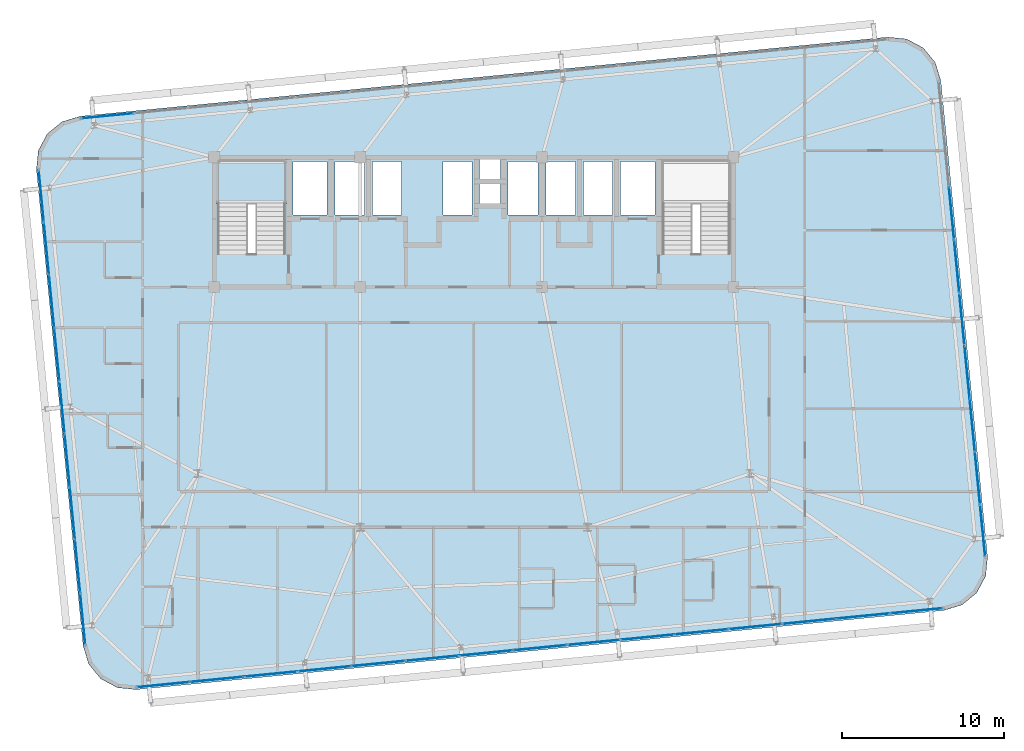
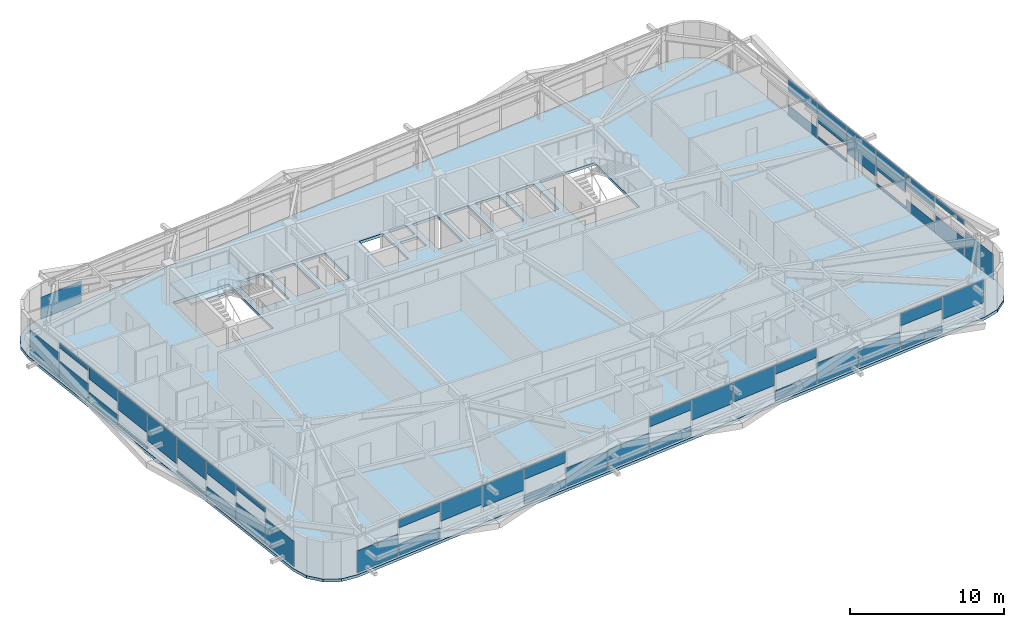
# One storey, part 36 of 53: 48 plates, 2 slabs, 5 elements without a shape of their own.
"""IFC4 building model written with IfcOpenShell, lengths in metres."""

from ifc_helpers import new_model, si_unit, direction, frame, origin, origin_2d, place, context, subcontext, project, spatial, polyline, rectangle, outline, extrude, source, transform, mapped, material, layer, layer_set, type_object, element, aggregate, save


model = new_model("IFC4")

# Units and contexts
model_context = context("Model", 3, precision=1e-05, world=origin(), true_north=direction((0.0, 1.0)))
body_context = subcontext(model_context, "Body", "Model", "MODEL_VIEW")
ifc_project = project(units=[si_unit("LENGTHUNIT", "METRE"), si_unit("AREAUNIT", "SQUARE_METRE"), si_unit("VOLUMEUNIT", "CUBIC_METRE"), si_unit("PLANEANGLEUNIT", "RADIAN"), si_unit("MASSUNIT", "GRAM", prefix="KILO")], contexts=[model_context])

# Site, building, storey
site_placement = place(None, origin())
site = spatial("IfcSite", under=ifc_project, at=site_placement, CompositionType="ELEMENT")
building_placement = place(site_placement, origin())
building = spatial("IfcBuilding", under=site, at=building_placement, Name="Taldren Reach Tower", CompositionType="ELEMENT")
storey_placement = place(building_placement, frame((0.0, 0.0, 71.39990234375)))
storey = spatial("IfcBuildingStorey", under=building, at=storey_placement, Name="L21", CompositionType="ELEMENT", Elevation=71.39990234375)

# Slab
ifc_material_1 = material(Name="Concrete N40 (40 MPa)", Category="concrete")
ifc_layer_1 = layer(ifc_material_1, 0.219970703125)
ifc_layer_set_1 = layer_set([ifc_layer_1], Name="Concrete N40 (40 MPa)")
slab_type_1 = type_object("IfcSlabType", Name="SL-FLR-220", PredefinedType="FLOOR", material=ifc_layer_set_1)
slab_1_placement = place(storey_placement, frame((0.0, 0.0, -0.219970703125)))
element("IfcSlab", 1, at=slab_1_placement, inside=storey, type_object=slab_type_1, Name="Suspended floor slab L21", PredefinedType="FLOOR", context=body_context, shape_type="SweptSolid", body=[
    extrude(outline(polyline([(63.962890625, 4.07421875), (65.0830078125, 4.41357421875), (65.98828125, 5.15576171875), (66.54052734375, 6.187744140625), (66.65576171875, 7.352783203125), (63.777099609375, 36.7119140625), (63.437744140625, 37.832275390625), (62.695556640625, 38.7373046875), (61.663330078125, 39.28955078125), (60.49853515625, 39.40478515625), (10.7373046875, 34.525634765625), (9.616943359375, 34.1865234375), (8.711669921875, 33.4443359375), (8.159423828125, 32.412109375), (8.044189453125, 31.247314453125), (10.923095703125, 1.88818359375), (11.26220703125, 0.767822265625), (12.00439453125, -0.137451171875), (13.03662109375, -0.689697265625), (14.201416015625, -0.804931640625), (63.962890625, 4.07421875)]), holes=[polyline([(19.219970703125, 26.050048828125), (23.3798828125, 26.050048828125), (23.3798828125, 31.820068359375), (19.219970703125, 31.820068359375), (19.219970703125, 26.050048828125)]), polyline([(46.6201171875, 26.050048828125), (50.780029296875, 26.050048828125), (50.780029296875, 31.820068359375), (46.6201171875, 31.820068359375), (46.6201171875, 26.050048828125)]), polyline([(23.85009765625, 28.449951171875), (25.949951171875, 28.449951171875), (25.949951171875, 31.75), (23.85009765625, 31.75), (23.85009765625, 28.449951171875)]), polyline([(44.050048828125, 28.449951171875), (46.14990234375, 28.449951171875), (46.14990234375, 31.75), (44.050048828125, 31.75), (44.050048828125, 28.449951171875)]), polyline([(26.449951171875, 28.449951171875), (28.25, 28.449951171875), (28.25, 31.75), (26.449951171875, 31.75), (26.449951171875, 28.449951171875)]), polyline([(28.75, 28.449951171875), (30.550048828125, 28.449951171875), (30.550048828125, 31.75), (28.75, 31.75), (28.75, 28.449951171875)]), polyline([(33.10009765625, 28.449951171875), (34.89990234375, 28.449951171875), (34.89990234375, 31.75), (33.10009765625, 31.75), (33.10009765625, 28.449951171875)]), polyline([(37.10009765625, 28.449951171875), (38.949951171875, 28.449951171875), (38.949951171875, 31.75), (37.10009765625, 31.75), (37.10009765625, 28.449951171875)]), polyline([(39.449951171875, 28.449951171875), (41.25, 28.449951171875), (41.25, 31.75), (39.449951171875, 31.75), (39.449951171875, 28.449951171875)]), polyline([(41.75, 28.449951171875), (43.550048828125, 28.449951171875), (43.550048828125, 31.75), (41.75, 31.75), (41.75, 28.449951171875)]), polyline([(35.35009765625, 30.64990234375), (36.64990234375, 30.64990234375), (36.64990234375, 31.85009765625), (35.35009765625, 31.85009765625), (35.35009765625, 30.64990234375)]), polyline([(35.35009765625, 29.14990234375), (36.64990234375, 29.14990234375), (36.64990234375, 30.35009765625), (35.35009765625, 30.35009765625), (35.35009765625, 29.14990234375)])]), origin(), (0.0, 0.0, 1.0), 0.219970703125),
])

# Stair, slab
ifc_material_2 = material(Name="Concrete S50 (50 MPa)", Category="concrete")
stair_type = type_object("IfcStairType", Name="ST-HT-315", PredefinedType="HALF_TURN_STAIR", material=ifc_material_2)
stair_placement = place(storey_placement, origin())
stair = element("IfcStair", 2, at=stair_placement, inside=storey, type_object=stair_type, Name="Fire-isolated exit stair ST1 L21", PredefinedType="HALF_TURN_STAIR")
ifc_layer_2 = layer(ifc_material_2, 0.179931640625)
ifc_layer_set_2 = layer_set([ifc_layer_2], Name="Concrete S50 (50 MPa)")
slab_type_2 = type_object("IfcSlabType", Name="SL-LAND-180", PredefinedType="LANDING", material=ifc_layer_set_2)
slab_2_placement = place(storey_placement, frame((0.0, 0.0, 1.39501953125)))
slab_2 = element("IfcSlab", 3, at=slab_2_placement, type_object=slab_type_2, Name="ST1 landing 1", PredefinedType="LANDING", context=body_context, shape_type="SweptSolid", body=[
    extrude(outline(polyline([(19.0400390625, 29.135009765625), (23.56005859375, 29.135009765625), (23.56005859375, 31.8701171875), (19.0400390625, 31.8701171875), (19.0400390625, 29.135009765625)])), origin(), (0.0, 0.0, 1.0), 0.18017578125),
])
aggregate(stair, [slab_2])

# Curtain wall, plate
ifc_material_3 = material(Name="Aluminium and Low-E Glass Unitised System", Category="aluminium")
ifc_layer_3 = layer(ifc_material_3, 0.159912109375)
ifc_layer_set_3 = layer_set([ifc_layer_3], Name="Aluminium and Low-E Glass Unitised System")
curtain_wall_type = type_object("IfcCurtainWallType", Name="CW-SYS-3", PredefinedType="NOTDEFINED", material=ifc_layer_set_3)
curtain_wall_1_placement = place(storey_placement, origin())
curtain_wall_1 = element("IfcCurtainWall", 4, at=curtain_wall_1_placement, inside=storey, type_object=curtain_wall_type, Name="Unitised curtain wall CW-L21-S", PredefinedType="NOTDEFINED")
ifc_material_4 = material(Name="Solar-Control Double Glazed IGU", Category="glass")
ifc_layer_4 = layer(ifc_material_4, 0.031982421875)
ifc_layer_set_4 = layer_set([ifc_layer_4], Name="Solar-Control Double Glazed IGU")
plate_type = type_object("IfcPlateType", Name="CW-PNL-IGU32", PredefinedType="CURTAIN_PANEL", material=ifc_layer_set_4)
shared_shape_1 = source(origin(), body_context, "Body", "SweptSolid", [
    extrude(rectangle(XDim=3.23583984375, YDim=0.031982421875, at=origin_2d()), origin(), (0.0, 0.0, 1.0), 1.72509765625),
])
plate_1_placement = place(storey_placement, frame((15.862548828125, -0.501220703125, 0.05517578125), z_axis=(0.0, 0.0, 1.0), x_axis=(0.995227390247, 0.097582999046, 0.0)))
plate_1 = element("IfcPlate", 5, at=plate_1_placement, type_object=plate_type, Name="CW-3 panel 1.1 part 1", PredefinedType="CURTAIN_PANEL", context=body_context, shape_type="MappedRepresentation", body=[
    mapped(shared_shape_1, transform((0.0, 0.0, 0.0), scale=1.0)),
])

curtain_wall_2_placement = place(storey_placement, origin())
curtain_wall_2 = element("IfcCurtainWall", 6, at=curtain_wall_2_placement, inside=storey, type_object=curtain_wall_type, Name="Unitised curtain wall CW-L21-N", PredefinedType="NOTDEFINED")
plate_2_placement = place(storey_placement, frame((12.42578125, 34.550537109375, 0.05517578125), z_axis=(0.0, 0.0, 1.0), x_axis=(-0.995227390247, -0.097582999046, 0.0)))
plate_2 = element("IfcPlate", 7, at=plate_2_placement, type_object=plate_type, Name="CW-3 panel 15.1 part 1", PredefinedType="CURTAIN_PANEL", context=body_context, shape_type="MappedRepresentation", body=[
    mapped(shared_shape_1, transform((0.0, 0.0, 0.0), scale=1.0)),
])
aggregate(curtain_wall_2, [plate_2])

# Plate
shared_shape_2 = source(origin(), body_context, "Body", "SweptSolid", [
    extrude(rectangle(XDim=3.268310546875, YDim=0.031982421875, at=origin_2d()), origin(), (0.0, 0.0, 1.0), 0.88818359375),
])
plate_3_placement = place(storey_placement, frame((19.163818359375, -0.177734375, 0.05517578125), z_axis=(0.0, 0.0, 1.0), x_axis=(0.995227390247, 0.097582999046, 0.0)))
plate_3 = element("IfcPlate", 8, at=plate_3_placement, type_object=plate_type, Name="CW-3 panel 2.1 part 1", PredefinedType="CURTAIN_PANEL", context=body_context, shape_type="MappedRepresentation", body=[
    mapped(shared_shape_2, transform((0.0, 0.0, 0.0), scale=1.0)),
])

shared_shape_3 = source(origin(), body_context, "Body", "SweptSolid", [
    extrude(rectangle(XDim=3.268310546875, YDim=0.031982421875, at=origin_2d()), origin(), (0.0, 0.0, 1.0), 0.626953125),
])
plate_4_placement = place(storey_placement, frame((19.163818359375, -0.177734375, 2.248046875), z_axis=(0.0, 0.0, 1.0), x_axis=(0.995227390247, 0.097582999046, 0.0)))
plate_4 = element("IfcPlate", 9, at=plate_4_placement, type_object=plate_type, Name="CW-3 panel 2.1 part 2", PredefinedType="CURTAIN_PANEL", context=body_context, shape_type="MappedRepresentation", body=[
    mapped(shared_shape_3, transform((0.0, 0.0, 0.0), scale=1.0)),
])

shared_shape_4 = source(origin(), body_context, "Body", "SweptSolid", [
    extrude(rectangle(XDim=3.268310546875, YDim=0.031982421875, at=origin_2d()), origin(), (0.0, 0.0, 1.0), 1.4638671875),
])
plate_5_placement = place(storey_placement, frame((22.481201171875, 0.147705078125, 1.411376953125), z_axis=(0.0, 0.0, 1.0), x_axis=(0.995227390247, 0.097582999046, 0.0)))
plate_5 = element("IfcPlate", 10, at=plate_5_placement, type_object=plate_type, Name="CW-3 panel 3.1 part 1", PredefinedType="CURTAIN_PANEL", context=body_context, shape_type="MappedRepresentation", body=[
    mapped(shared_shape_4, transform((0.0, 0.0, 0.0), scale=1.0)),
])

shared_shape_5 = source(origin(), body_context, "Body", "SweptSolid", [
    extrude(rectangle(XDim=3.268310546875, YDim=0.031982421875, at=origin_2d()), origin(), (0.0, 0.0, 1.0), 1.704833984375),
])
plate_6_placement = place(storey_placement, frame((25.798828125, 0.472900390625, 1.17041015625), z_axis=(0.0, 0.0, 1.0), x_axis=(0.995227390247, 0.097582999046, 0.0)))
plate_6 = element("IfcPlate", 11, at=plate_6_placement, type_object=plate_type, Name="CW-3 panel 4.1 part 1", PredefinedType="CURTAIN_PANEL", context=body_context, shape_type="MappedRepresentation", body=[
    mapped(shared_shape_5, transform((0.0, 0.0, 0.0), scale=1.0)),
])

shared_shape_6 = source(origin(), body_context, "Body", "SweptSolid", [
    extrude(rectangle(XDim=3.268310546875, YDim=0.031982421875, at=origin_2d()), origin(), (0.0, 0.0, 1.0), 0.647216796875),
])
plate_7_placement = place(storey_placement, frame((29.1162109375, 0.798095703125, 0.05517578125), z_axis=(0.0, 0.0, 1.0), x_axis=(0.995227390247, 0.097582999046, 0.0)))
plate_7 = element("IfcPlate", 12, at=plate_7_placement, type_object=plate_type, Name="CW-3 panel 5.1 part 1", PredefinedType="CURTAIN_PANEL", context=body_context, shape_type="MappedRepresentation", body=[
    mapped(shared_shape_6, transform((0.0, 0.0, 0.0), scale=1.0)),
])

shared_shape_7 = source(origin(), body_context, "Body", "SweptSolid", [
    extrude(rectangle(XDim=3.268310546875, YDim=0.031982421875, at=origin_2d()), origin(), (0.0, 0.0, 1.0), 0.867919921875),
])
plate_8_placement = place(storey_placement, frame((29.1162109375, 0.798095703125, 2.00732421875), z_axis=(0.0, 0.0, 1.0), x_axis=(0.995227390247, 0.097582999046, 0.0)))
plate_8 = element("IfcPlate", 13, at=plate_8_placement, type_object=plate_type, Name="CW-3 panel 5.1 part 2", PredefinedType="CURTAIN_PANEL", context=body_context, shape_type="MappedRepresentation", body=[
    mapped(shared_shape_7, transform((0.0, 0.0, 0.0), scale=1.0)),
])

shared_shape_8 = source(origin(), body_context, "Body", "SweptSolid", [
    extrude(rectangle(XDim=3.268310546875, YDim=0.031982421875, at=origin_2d()), origin(), (0.0, 0.0, 1.0), 1.484130859375),
])
plate_9_placement = place(storey_placement, frame((32.43359375, 1.12353515625, 0.05517578125), z_axis=(0.0, 0.0, 1.0), x_axis=(0.995227390247, 0.097582999046, 0.0)))
plate_9 = element("IfcPlate", 14, at=plate_9_placement, type_object=plate_type, Name="CW-3 panel 6.1 part 1", PredefinedType="CURTAIN_PANEL", context=body_context, shape_type="MappedRepresentation", body=[
    mapped(shared_shape_8, transform((0.0, 0.0, 0.0), scale=1.0)),
])

shared_shape_9 = source(origin(), body_context, "Body", "SweptSolid", [
    extrude(rectangle(XDim=3.268310546875, YDim=0.031982421875, at=origin_2d()), origin(), (0.0, 0.0, 1.0), 1.564453125),
])
plate_10_placement = place(storey_placement, frame((35.7509765625, 1.44873046875, 0.05517578125), z_axis=(0.0, 0.0, 1.0), x_axis=(0.995227390247, 0.097582999046, 0.0)))
plate_10 = element("IfcPlate", 15, at=plate_10_placement, type_object=plate_type, Name="CW-3 panel 7.1 part 1", PredefinedType="CURTAIN_PANEL", context=body_context, shape_type="MappedRepresentation", body=[
    mapped(shared_shape_9, transform((0.0, 0.0, 0.0), scale=1.0)),
])

shared_shape_10 = source(origin(), body_context, "Body", "SweptSolid", [
    extrude(rectangle(XDim=3.268310546875, YDim=0.031982421875, at=origin_2d()), origin(), (0.0, 0.0, 1.0), 0.7275390625),
])
plate_11_placement = place(storey_placement, frame((39.068359375, 1.77392578125, 0.05517578125), z_axis=(0.0, 0.0, 1.0), x_axis=(0.995227390247, 0.097582999046, 0.0)))
plate_11 = element("IfcPlate", 16, at=plate_11_placement, type_object=plate_type, Name="CW-3 panel 8.1 part 1", PredefinedType="CURTAIN_PANEL", context=body_context, shape_type="MappedRepresentation", body=[
    mapped(shared_shape_10, transform((0.0, 0.0, 0.0), scale=1.0)),
])

shared_shape_11 = source(origin(), body_context, "Body", "SweptSolid", [
    extrude(rectangle(XDim=3.268310546875, YDim=0.031982421875, at=origin_2d()), origin(), (0.0, 0.0, 1.0), 0.78759765625),
])
plate_12_placement = place(storey_placement, frame((39.068359375, 1.77392578125, 2.08740234375), z_axis=(0.0, 0.0, 1.0), x_axis=(0.995227390247, 0.097582999046, 0.0)))
plate_12 = element("IfcPlate", 17, at=plate_12_placement, type_object=plate_type, Name="CW-3 panel 8.1 part 2", PredefinedType="CURTAIN_PANEL", context=body_context, shape_type="MappedRepresentation", body=[
    mapped(shared_shape_11, transform((0.0, 0.0, 0.0), scale=1.0)),
])

shared_shape_12 = source(origin(), body_context, "Body", "SweptSolid", [
    extrude(rectangle(XDim=3.268310546875, YDim=0.031982421875, at=origin_2d()), origin(), (0.0, 0.0, 1.0), 1.62451171875),
])
plate_13_placement = place(storey_placement, frame((42.3857421875, 2.099365234375, 1.250732421875), z_axis=(0.0, 0.0, 1.0), x_axis=(0.995227390247, 0.097582999046, 0.0)))
plate_13 = element("IfcPlate", 18, at=plate_13_placement, type_object=plate_type, Name="CW-3 panel 9.1 part 1", PredefinedType="CURTAIN_PANEL", context=body_context, shape_type="MappedRepresentation", body=[
    mapped(shared_shape_12, transform((0.0, 0.0, 0.0), scale=1.0)),
])

shared_shape_13 = source(origin(), body_context, "Body", "SweptSolid", [
    extrude(rectangle(XDim=3.268310546875, YDim=0.031982421875, at=origin_2d()), origin(), (0.0, 0.0, 1.0), 1.544189453125),
])
plate_14_placement = place(storey_placement, frame((45.703369140625, 2.424560546875, 1.3310546875), z_axis=(0.0, 0.0, 1.0), x_axis=(0.995227390247, 0.097582999046, 0.0)))
plate_14 = element("IfcPlate", 19, at=plate_14_placement, type_object=plate_type, Name="CW-3 panel 10.1 part 1", PredefinedType="CURTAIN_PANEL", context=body_context, shape_type="MappedRepresentation", body=[
    mapped(shared_shape_13, transform((0.0, 0.0, 0.0), scale=1.0)),
])

shared_shape_14 = source(origin(), body_context, "Body", "SweptSolid", [
    extrude(rectangle(XDim=3.268310546875, YDim=0.031982421875, at=origin_2d()), origin(), (0.0, 0.0, 1.0), 0.807861328125),
])
plate_15_placement = place(storey_placement, frame((49.020751953125, 2.749755859375, 0.05517578125), z_axis=(0.0, 0.0, 1.0), x_axis=(0.995227390247, 0.097582999046, 0.0)))
plate_15 = element("IfcPlate", 20, at=plate_15_placement, type_object=plate_type, Name="CW-3 panel 11.1 part 1", PredefinedType="CURTAIN_PANEL", context=body_context, shape_type="MappedRepresentation", body=[
    mapped(shared_shape_14, transform((0.0, 0.0, 0.0), scale=1.0)),
])

shared_shape_15 = source(origin(), body_context, "Body", "SweptSolid", [
    extrude(rectangle(XDim=3.268310546875, YDim=0.031982421875, at=origin_2d()), origin(), (0.0, 0.0, 1.0), 0.707275390625),
])
plate_16_placement = place(storey_placement, frame((49.020751953125, 2.749755859375, 2.16796875), z_axis=(0.0, 0.0, 1.0), x_axis=(0.995227390247, 0.097582999046, 0.0)))
plate_16 = element("IfcPlate", 21, at=plate_16_placement, type_object=plate_type, Name="CW-3 panel 11.1 part 2", PredefinedType="CURTAIN_PANEL", context=body_context, shape_type="MappedRepresentation", body=[
    mapped(shared_shape_15, transform((0.0, 0.0, 0.0), scale=1.0)),
])

shared_shape_16 = source(origin(), body_context, "Body", "SweptSolid", [
    extrude(rectangle(XDim=3.268310546875, YDim=0.031982421875, at=origin_2d()), origin(), (0.0, 0.0, 1.0), 1.644775390625),
])
plate_17_placement = place(storey_placement, frame((52.338134765625, 3.0751953125, 0.05517578125), z_axis=(0.0, 0.0, 1.0), x_axis=(0.995227390247, 0.097582999046, 0.0)))
plate_17 = element("IfcPlate", 22, at=plate_17_placement, type_object=plate_type, Name="CW-3 panel 12.1 part 1", PredefinedType="CURTAIN_PANEL", context=body_context, shape_type="MappedRepresentation", body=[
    mapped(shared_shape_16, transform((0.0, 0.0, 0.0), scale=1.0)),
])

shared_shape_17 = source(origin(), body_context, "Body", "SweptSolid", [
    extrude(rectangle(XDim=3.268310546875, YDim=0.031982421875, at=origin_2d()), origin(), (0.0, 0.0, 1.0), 1.40380859375),
])
plate_18_placement = place(storey_placement, frame((55.655517578125, 3.400390625, 0.05517578125), z_axis=(0.0, 0.0, 1.0), x_axis=(0.995227390247, 0.097582999046, 0.0)))
plate_18 = element("IfcPlate", 23, at=plate_18_placement, type_object=plate_type, Name="CW-3 panel 13.1 part 1", PredefinedType="CURTAIN_PANEL", context=body_context, shape_type="MappedRepresentation", body=[
    mapped(shared_shape_17, transform((0.0, 0.0, 0.0), scale=1.0)),
])

shared_shape_18 = source(origin(), body_context, "Body", "SweptSolid", [
    extrude(rectangle(XDim=3.268310546875, YDim=0.031982421875, at=origin_2d()), origin(), (0.0, 0.0, 1.0), 0.56689453125),
])
plate_19_placement = place(storey_placement, frame((58.972900390625, 3.7255859375, 0.05517578125), z_axis=(0.0, 0.0, 1.0), x_axis=(0.995227390247, 0.097582999046, 0.0)))
plate_19 = element("IfcPlate", 24, at=plate_19_placement, type_object=plate_type, Name="CW-3 panel 14.1 part 1", PredefinedType="CURTAIN_PANEL", context=body_context, shape_type="MappedRepresentation", body=[
    mapped(shared_shape_18, transform((0.0, 0.0, 0.0), scale=1.0)),
])

shared_shape_19 = source(origin(), body_context, "Body", "SweptSolid", [
    extrude(rectangle(XDim=3.268310546875, YDim=0.031982421875, at=origin_2d()), origin(), (0.0, 0.0, 1.0), 0.9482421875),
])
plate_20_placement = place(storey_placement, frame((58.972900390625, 3.7255859375, 1.9267578125), z_axis=(0.0, 0.0, 1.0), x_axis=(0.995227390247, 0.097582999046, 0.0)))
plate_20 = element("IfcPlate", 25, at=plate_20_placement, type_object=plate_type, Name="CW-3 panel 14.1 part 2", PredefinedType="CURTAIN_PANEL", context=body_context, shape_type="MappedRepresentation", body=[
    mapped(shared_shape_19, transform((0.0, 0.0, 0.0), scale=1.0)),
])

shared_shape_20 = source(origin(), body_context, "Body", "SweptSolid", [
    extrude(rectangle(XDim=3.23583984375, YDim=0.031982421875, at=origin_2d()), origin(), (0.0, 0.0, 1.0), 1.78515625),
])
plate_21_placement = place(storey_placement, frame((62.274169921875, 4.04931640625, 1.090087890625), z_axis=(0.0, 0.0, 1.0), x_axis=(0.995227390247, 0.097582999046, 0.0)))
plate_21 = element("IfcPlate", 26, at=plate_21_placement, type_object=plate_type, Name="CW-3 panel 15.1 part 1", PredefinedType="CURTAIN_PANEL", context=body_context, shape_type="MappedRepresentation", body=[
    mapped(shared_shape_20, transform((0.0, 0.0, 0.0), scale=1.0)),
])

aggregate(curtain_wall_1, [plate_1, plate_3, plate_4, plate_5, plate_6, plate_7, plate_8, plate_9, plate_10, plate_11, plate_12, plate_13, plate_14, plate_15, plate_16, plate_17, plate_18, plate_19, plate_20, plate_21])

# Curtain wall, plates
curtain_wall_3_placement = place(storey_placement, origin())
curtain_wall_3 = element("IfcCurtainWall", 27, at=curtain_wall_3_placement, inside=storey, type_object=curtain_wall_type, Name="Unitised curtain wall CW-L21-W", PredefinedType="NOTDEFINED")
shared_shape_21 = source(origin(), body_context, "Body", "SweptSolid", [
    extrude(rectangle(XDim=3.18017578125, YDim=0.031982421875, at=origin_2d()), origin(), (0.0, 0.0, 1.0), 1.989501953125),
])
plate_22_placement = place(storey_placement, frame((8.34521484375, 29.61376953125, 0.05517578125), z_axis=(0.0, 0.0, 1.0), x_axis=(0.09758274098, -0.99522741555, 0.0)))
plate_22 = element("IfcPlate", 28, at=plate_22_placement, type_object=plate_type, Name="CW-3 panel 1.1 part 1", PredefinedType="CURTAIN_PANEL", context=body_context, shape_type="MappedRepresentation", body=[
    mapped(shared_shape_21, transform((0.0, 0.0, 0.0), scale=1.0)),
])
plate_23_placement = place(storey_placement, frame((10.90087890625, 3.549072265625, 0.05517578125), z_axis=(0.0, 0.0, 1.0), x_axis=(0.09758274098, -0.99522741555, 0.0)))
plate_23 = element("IfcPlate", 29, at=plate_23_placement, type_object=plate_type, Name="CW-3 panel 9.1 part 1", PredefinedType="CURTAIN_PANEL", context=body_context, shape_type="MappedRepresentation", body=[
    mapped(shared_shape_21, transform((0.0, 0.0, 0.0), scale=1.0)),
])

# Curtain wall, plate
curtain_wall_4_placement = place(storey_placement, origin())
curtain_wall_4 = element("IfcCurtainWall", 30, at=curtain_wall_4_placement, inside=storey, type_object=curtain_wall_type, Name="Unitised curtain wall CW-L21-E", PredefinedType="NOTDEFINED")
plate_24_placement = place(storey_placement, frame((66.35498046875, 8.986328125, 0.05517578125), z_axis=(0.0, 0.0, 1.0), x_axis=(-0.09758274098, 0.99522741555, 0.0)))
plate_24 = element("IfcPlate", 31, at=plate_24_placement, type_object=plate_type, Name="CW-3 panel 1.1 part 1", PredefinedType="CURTAIN_PANEL", context=body_context, shape_type="MappedRepresentation", body=[
    mapped(shared_shape_21, transform((0.0, 0.0, 0.0), scale=1.0)),
])

# Plate
shared_shape_22 = source(origin(), body_context, "Body", "SweptSolid", [
    extrude(rectangle(XDim=3.212890625, YDim=0.031982421875, at=origin_2d()), origin(), (0.0, 0.0, 1.0), 1.401611328125),
])
plate_25_placement = place(storey_placement, frame((8.663330078125, 26.36767578125, 0.05517578125), z_axis=(0.0, 0.0, 1.0), x_axis=(0.09758274098, -0.99522741555, 0.0)))
plate_25 = element("IfcPlate", 32, at=plate_25_placement, type_object=plate_type, Name="CW-3 panel 2.1 part 1", PredefinedType="CURTAIN_PANEL", context=body_context, shape_type="MappedRepresentation", body=[
    mapped(shared_shape_22, transform((0.0, 0.0, 0.0), scale=1.0)),
])

plate_26_placement = place(storey_placement, frame((10.58251953125, 6.794921875, 0.05517578125), z_axis=(0.0, 0.0, 1.0), x_axis=(0.09758274098, -0.99522741555, 0.0)))
plate_26 = element("IfcPlate", 33, at=plate_26_placement, type_object=plate_type, Name="CW-3 panel 8.1 part 1", PredefinedType="CURTAIN_PANEL", context=body_context, shape_type="MappedRepresentation", body=[
    mapped(shared_shape_22, transform((0.0, 0.0, 0.0), scale=1.0)),
])

plate_27_placement = place(storey_placement, frame((66.03662109375, 12.232177734375, 0.05517578125), z_axis=(0.0, 0.0, 1.0), x_axis=(-0.09758274098, 0.99522741555, 0.0)))
plate_27 = element("IfcPlate", 34, at=plate_27_placement, type_object=plate_type, Name="CW-3 panel 2.1 part 1", PredefinedType="CURTAIN_PANEL", context=body_context, shape_type="MappedRepresentation", body=[
    mapped(shared_shape_22, transform((0.0, 0.0, 0.0), scale=1.0)),
])

shared_shape_23 = source(origin(), body_context, "Body", "SweptSolid", [
    extrude(rectangle(XDim=3.212890625, YDim=0.031982421875, at=origin_2d()), origin(), (0.0, 0.0, 1.0), 0.36474609375),
])
plate_28_placement = place(storey_placement, frame((8.663330078125, 26.36767578125, 2.51025390625), z_axis=(0.0, 0.0, 1.0), x_axis=(0.09758274098, -0.99522741555, 0.0)))
plate_28 = element("IfcPlate", 35, at=plate_28_placement, type_object=plate_type, Name="CW-3 panel 2.1 part 2", PredefinedType="CURTAIN_PANEL", context=body_context, shape_type="MappedRepresentation", body=[
    mapped(shared_shape_23, transform((0.0, 0.0, 0.0), scale=1.0)),
])

plate_29_placement = place(storey_placement, frame((10.58251953125, 6.794921875, 2.51025390625), z_axis=(0.0, 0.0, 1.0), x_axis=(0.09758274098, -0.99522741555, 0.0)))
plate_29 = element("IfcPlate", 36, at=plate_29_placement, type_object=plate_type, Name="CW-3 panel 8.1 part 2", PredefinedType="CURTAIN_PANEL", context=body_context, shape_type="MappedRepresentation", body=[
    mapped(shared_shape_23, transform((0.0, 0.0, 0.0), scale=1.0)),
])

plate_30_placement = place(storey_placement, frame((66.03662109375, 12.232177734375, 2.51025390625), z_axis=(0.0, 0.0, 1.0), x_axis=(-0.09758274098, 0.99522741555, 0.0)))
plate_30 = element("IfcPlate", 37, at=plate_30_placement, type_object=plate_type, Name="CW-3 panel 2.1 part 2", PredefinedType="CURTAIN_PANEL", context=body_context, shape_type="MappedRepresentation", body=[
    mapped(shared_shape_23, transform((0.0, 0.0, 0.0), scale=1.0)),
])

shared_shape_24 = source(origin(), body_context, "Body", "SweptSolid", [
    extrude(rectangle(XDim=3.212890625, YDim=0.031982421875, at=origin_2d()), origin(), (0.0, 0.0, 1.0), 0.81396484375),
])
plate_31_placement = place(storey_placement, frame((8.983154296875, 23.105712890625, 0.05517578125), z_axis=(0.0, 0.0, 1.0), x_axis=(0.09758274098, -0.99522741555, 0.0)))
plate_31 = element("IfcPlate", 38, at=plate_31_placement, type_object=plate_type, Name="CW-3 panel 3.1 part 1", PredefinedType="CURTAIN_PANEL", context=body_context, shape_type="MappedRepresentation", body=[
    mapped(shared_shape_24, transform((0.0, 0.0, 0.0), scale=1.0)),
])

plate_32_placement = place(storey_placement, frame((10.2626953125, 10.05712890625, 0.05517578125), z_axis=(0.0, 0.0, 1.0), x_axis=(0.09758274098, -0.99522741555, 0.0)))
plate_32 = element("IfcPlate", 39, at=plate_32_placement, type_object=plate_type, Name="CW-3 panel 7.1 part 1", PredefinedType="CURTAIN_PANEL", context=body_context, shape_type="MappedRepresentation", body=[
    mapped(shared_shape_24, transform((0.0, 0.0, 0.0), scale=1.0)),
])

plate_33_placement = place(storey_placement, frame((65.716796875, 15.494384765625, 0.05517578125), z_axis=(0.0, 0.0, 1.0), x_axis=(-0.09758274098, 0.99522741555, 0.0)))
plate_33 = element("IfcPlate", 40, at=plate_33_placement, type_object=plate_type, Name="CW-3 panel 3.1 part 1", PredefinedType="CURTAIN_PANEL", context=body_context, shape_type="MappedRepresentation", body=[
    mapped(shared_shape_24, transform((0.0, 0.0, 0.0), scale=1.0)),
])

plate_34_placement = place(storey_placement, frame((64.437255859375, 28.54296875, 0.05517578125), z_axis=(0.0, 0.0, 1.0), x_axis=(-0.09758274098, 0.99522741555, 0.0)))
plate_34 = element("IfcPlate", 41, at=plate_34_placement, type_object=plate_type, Name="CW-3 panel 7.1 part 1", PredefinedType="CURTAIN_PANEL", context=body_context, shape_type="MappedRepresentation", body=[
    mapped(shared_shape_24, transform((0.0, 0.0, 0.0), scale=1.0)),
])

shared_shape_25 = source(origin(), body_context, "Body", "SweptSolid", [
    extrude(rectangle(XDim=3.212890625, YDim=0.031982421875, at=origin_2d()), origin(), (0.0, 0.0, 1.0), 0.95263671875),
])
plate_35_placement = place(storey_placement, frame((8.983154296875, 23.105712890625, 1.92236328125), z_axis=(0.0, 0.0, 1.0), x_axis=(0.09758274098, -0.99522741555, 0.0)))
plate_35 = element("IfcPlate", 42, at=plate_35_placement, type_object=plate_type, Name="CW-3 panel 3.1 part 2", PredefinedType="CURTAIN_PANEL", context=body_context, shape_type="MappedRepresentation", body=[
    mapped(shared_shape_25, transform((0.0, 0.0, 0.0), scale=1.0)),
])

plate_36_placement = place(storey_placement, frame((10.2626953125, 10.05712890625, 1.92236328125), z_axis=(0.0, 0.0, 1.0), x_axis=(0.09758274098, -0.99522741555, 0.0)))
plate_36 = element("IfcPlate", 43, at=plate_36_placement, type_object=plate_type, Name="CW-3 panel 7.1 part 2", PredefinedType="CURTAIN_PANEL", context=body_context, shape_type="MappedRepresentation", body=[
    mapped(shared_shape_25, transform((0.0, 0.0, 0.0), scale=1.0)),
])

plate_37_placement = place(storey_placement, frame((65.716796875, 15.494384765625, 1.92236328125), z_axis=(0.0, 0.0, 1.0), x_axis=(-0.09758274098, 0.99522741555, 0.0)))
plate_37 = element("IfcPlate", 44, at=plate_37_placement, type_object=plate_type, Name="CW-3 panel 3.1 part 2", PredefinedType="CURTAIN_PANEL", context=body_context, shape_type="MappedRepresentation", body=[
    mapped(shared_shape_25, transform((0.0, 0.0, 0.0), scale=1.0)),
])

plate_38_placement = place(storey_placement, frame((64.437255859375, 28.54296875, 1.92236328125), z_axis=(0.0, 0.0, 1.0), x_axis=(-0.09758274098, 0.99522741555, 0.0)))
plate_38 = element("IfcPlate", 45, at=plate_38_placement, type_object=plate_type, Name="CW-3 panel 7.1 part 2", PredefinedType="CURTAIN_PANEL", context=body_context, shape_type="MappedRepresentation", body=[
    mapped(shared_shape_25, transform((0.0, 0.0, 0.0), scale=1.0)),
])

shared_shape_26 = source(origin(), body_context, "Body", "SweptSolid", [
    extrude(rectangle(XDim=3.212890625, YDim=0.031982421875, at=origin_2d()), origin(), (0.0, 0.0, 1.0), 0.22607421875),
])
plate_39_placement = place(storey_placement, frame((9.30322265625, 19.843505859375, 0.05517578125), z_axis=(0.0, 0.0, 1.0), x_axis=(0.09758274098, -0.99522741555, 0.0)))
plate_39 = element("IfcPlate", 46, at=plate_39_placement, type_object=plate_type, Name="CW-3 panel 4.1 part 1", PredefinedType="CURTAIN_PANEL", context=body_context, shape_type="MappedRepresentation", body=[
    mapped(shared_shape_26, transform((0.0, 0.0, 0.0), scale=1.0)),
])

plate_40_placement = place(storey_placement, frame((9.94287109375, 13.319091796875, 0.05517578125), z_axis=(0.0, 0.0, 1.0), x_axis=(0.09758274098, -0.99522741555, 0.0)))
plate_40 = element("IfcPlate", 47, at=plate_40_placement, type_object=plate_type, Name="CW-3 panel 6.1 part 1", PredefinedType="CURTAIN_PANEL", context=body_context, shape_type="MappedRepresentation", body=[
    mapped(shared_shape_26, transform((0.0, 0.0, 0.0), scale=1.0)),
])

plate_41_placement = place(storey_placement, frame((65.39697265625, 18.756591796875, 0.05517578125), z_axis=(0.0, 0.0, 1.0), x_axis=(-0.09758274098, 0.99522741555, 0.0)))
plate_41 = element("IfcPlate", 48, at=plate_41_placement, type_object=plate_type, Name="CW-3 panel 4.1 part 1", PredefinedType="CURTAIN_PANEL", context=body_context, shape_type="MappedRepresentation", body=[
    mapped(shared_shape_26, transform((0.0, 0.0, 0.0), scale=1.0)),
])

plate_42_placement = place(storey_placement, frame((64.757080078125, 25.28076171875, 0.05517578125), z_axis=(0.0, 0.0, 1.0), x_axis=(-0.09758274098, 0.99522741555, 0.0)))
plate_42 = element("IfcPlate", 49, at=plate_42_placement, type_object=plate_type, Name="CW-3 panel 6.1 part 1", PredefinedType="CURTAIN_PANEL", context=body_context, shape_type="MappedRepresentation", body=[
    mapped(shared_shape_26, transform((0.0, 0.0, 0.0), scale=1.0)),
])

shared_shape_27 = source(origin(), body_context, "Body", "SweptSolid", [
    extrude(rectangle(XDim=3.212890625, YDim=0.031982421875, at=origin_2d()), origin(), (0.0, 0.0, 1.0), 1.54052734375),
])
plate_43_placement = place(storey_placement, frame((9.30322265625, 19.843505859375, 1.334716796875), z_axis=(0.0, 0.0, 1.0), x_axis=(0.09758274098, -0.99522741555, 0.0)))
plate_43 = element("IfcPlate", 50, at=plate_43_placement, type_object=plate_type, Name="CW-3 panel 4.1 part 2", PredefinedType="CURTAIN_PANEL", context=body_context, shape_type="MappedRepresentation", body=[
    mapped(shared_shape_27, transform((0.0, 0.0, 0.0), scale=1.0)),
])

plate_44_placement = place(storey_placement, frame((9.94287109375, 13.319091796875, 1.334716796875), z_axis=(0.0, 0.0, 1.0), x_axis=(0.09758274098, -0.99522741555, 0.0)))
plate_44 = element("IfcPlate", 51, at=plate_44_placement, type_object=plate_type, Name="CW-3 panel 6.1 part 2", PredefinedType="CURTAIN_PANEL", context=body_context, shape_type="MappedRepresentation", body=[
    mapped(shared_shape_27, transform((0.0, 0.0, 0.0), scale=1.0)),
])

plate_45_placement = place(storey_placement, frame((65.39697265625, 18.756591796875, 1.334716796875), z_axis=(0.0, 0.0, 1.0), x_axis=(-0.09758274098, 0.99522741555, 0.0)))
plate_45 = element("IfcPlate", 52, at=plate_45_placement, type_object=plate_type, Name="CW-3 panel 4.1 part 2", PredefinedType="CURTAIN_PANEL", context=body_context, shape_type="MappedRepresentation", body=[
    mapped(shared_shape_27, transform((0.0, 0.0, 0.0), scale=1.0)),
])

plate_46_placement = place(storey_placement, frame((64.757080078125, 25.28076171875, 1.334716796875), z_axis=(0.0, 0.0, 1.0), x_axis=(-0.09758274098, 0.99522741555, 0.0)))
plate_46 = element("IfcPlate", 53, at=plate_46_placement, type_object=plate_type, Name="CW-3 panel 6.1 part 2", PredefinedType="CURTAIN_PANEL", context=body_context, shape_type="MappedRepresentation", body=[
    mapped(shared_shape_27, transform((0.0, 0.0, 0.0), scale=1.0)),
])

shared_shape_28 = source(origin(), body_context, "Body", "SweptSolid", [
    extrude(rectangle(XDim=3.212890625, YDim=0.031982421875, at=origin_2d()), origin(), (0.0, 0.0, 1.0), 2.128173828125),
])
plate_47_placement = place(storey_placement, frame((9.623046875, 16.581298828125, 0.7470703125), z_axis=(0.0, 0.0, 1.0), x_axis=(0.09758274098, -0.99522741555, 0.0)))
plate_47 = element("IfcPlate", 54, at=plate_47_placement, type_object=plate_type, Name="CW-3 panel 5.1 part 1", PredefinedType="CURTAIN_PANEL", context=body_context, shape_type="MappedRepresentation", body=[
    mapped(shared_shape_28, transform((0.0, 0.0, 0.0), scale=1.0)),
])

aggregate(curtain_wall_3, [plate_22, plate_25, plate_28, plate_31, plate_35, plate_39, plate_43, plate_47, plate_40, plate_44, plate_32, plate_36, plate_26, plate_29, plate_23])

plate_48_placement = place(storey_placement, frame((65.0771484375, 22.0185546875, 0.7470703125), z_axis=(0.0, 0.0, 1.0), x_axis=(-0.09758274098, 0.99522741555, 0.0)))
plate_48 = element("IfcPlate", 55, at=plate_48_placement, type_object=plate_type, Name="CW-3 panel 5.1 part 1", PredefinedType="CURTAIN_PANEL", context=body_context, shape_type="MappedRepresentation", body=[
    mapped(shared_shape_28, transform((0.0, 0.0, 0.0), scale=1.0)),
])

aggregate(curtain_wall_4, [plate_24, plate_27, plate_30, plate_33, plate_37, plate_41, plate_45, plate_48, plate_42, plate_46, plate_34, plate_38])

save(model, "model.ifc")
